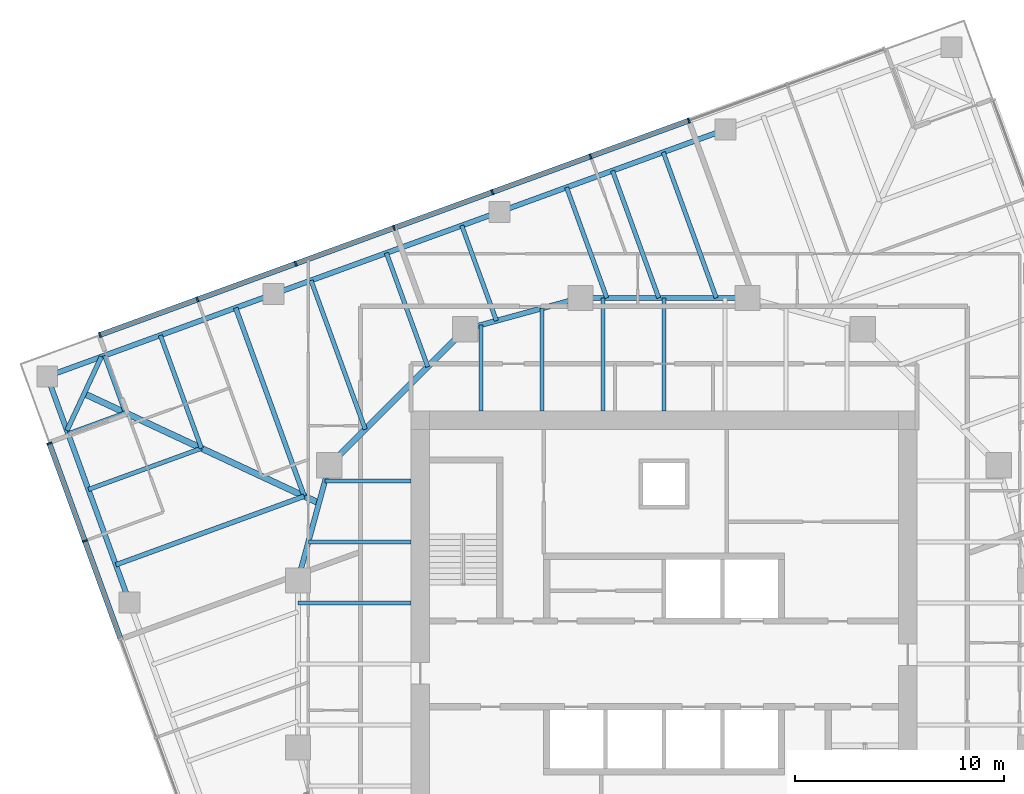
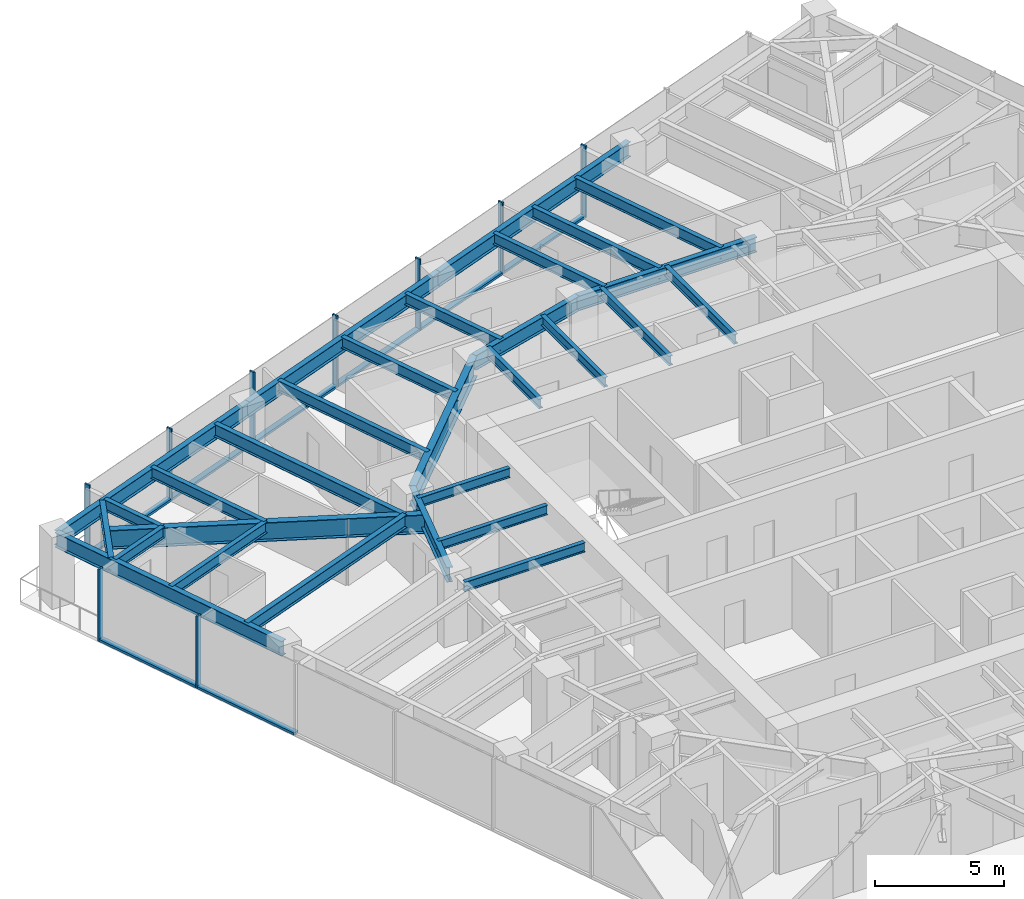
# One storey, part 4 of 13: 29 beams, 17 members, 2 elements without a shape of their own.
"""IFC4 building model written with IfcOpenShell, lengths in metres."""

from ifc_helpers import new_model, si_unit, direction, frame, origin, origin_2d, place, context, subcontext, project, spatial, rectangle, i_section, extrude, material, material_profile, profile_set, type_object, element, aggregate, save


model = new_model("IFC4")

# Units and contexts
model_context = context("Model", 3, precision=1e-05, world=origin(), true_north=direction((0.0, 1.0)))
body_context = subcontext(model_context, "Body", "Model", "MODEL_VIEW")
ifc_project = project(units=[si_unit("LENGTHUNIT", "METRE"), si_unit("AREAUNIT", "SQUARE_METRE"), si_unit("VOLUMEUNIT", "CUBIC_METRE"), si_unit("PLANEANGLEUNIT", "RADIAN"), si_unit("MASSUNIT", "GRAM", prefix="KILO")], contexts=[model_context])

# Site, building, storey
site_placement = place(None, origin())
site = spatial("IfcSite", under=ifc_project, at=site_placement, CompositionType="ELEMENT")
building_placement = place(site_placement, origin())
building = spatial("IfcBuilding", under=site, at=building_placement, Name="Torsade Residences", CompositionType="ELEMENT")
storey_placement = place(building_placement, frame((0.0, 0.0, 157.39990234375)))
storey = spatial("IfcBuildingStorey", under=building, at=storey_placement, Name="L43", CompositionType="ELEMENT", Elevation=157.39990234375)

# Beams
ifc_material_1 = material(Name="Steel grade 300", Category="steel")
ifc_material_profile_1 = material_profile(ifc_material_1, i_section(OverallWidth=0.300048828125, OverallDepth=0.89990234375, WebThickness=0.011962890625, FlangeThickness=0.02490234375, at=origin_2d()), Name="900WB175")
ifc_profile_set_1 = profile_set([ifc_material_profile_1], Name="Steel grade 300")
beam_type_1 = type_object("IfcBeamType", Name="CORNER GIRDER 900WB175", PredefinedType="BEAM", material=ifc_profile_set_1)
beam_1_placement = place(storey_placement, frame((12.282958984375, 42.924560546875, 2.800048828125), z_axis=(0.906308509373, -0.422616712682, 0.0), x_axis=(0.422616712682, 0.906308509373, 0.0)))
element("IfcBeam", 1, at=beam_1_placement, inside=storey, type_object=beam_type_1, Name="Corner girder 13 L44", PredefinedType="BEAM", context=body_context, shape_type="SweptSolid", body=[
    extrude(i_section(OverallWidth=0.300048828125, OverallDepth=0.89990234375, WebThickness=0.011962890625, FlangeThickness=0.02490234375, at=origin_2d()), origin(), (0.0, 0.0, 1.0), 12.3837890625),
])
ifc_material_2 = material(Name="Steel grade 300", Category="steel")
ifc_material_profile_2 = material_profile(ifc_material_2, i_section(OverallWidth=0.22802734375, OverallDepth=0.60205078125, WebThickness=0.010498046875, FlangeThickness=0.014892578125, FilletRadius=0.013916015625, at=origin_2d()), Name="610UB101")
ifc_profile_set_2 = profile_set([ifc_material_profile_2], Name="Steel grade 300")
beam_type_2 = type_object("IfcBeamType", Name="CORNER TRIMMER 610UB101", PredefinedType="BEAM", material=ifc_profile_set_2)
beam_2_placement = place(storey_placement, frame((11.461181640625, 41.162353515625, 2.94921875), z_axis=(0.422613947806, 0.906309798645, 0.0), x_axis=(-0.906309798645, 0.422613947806, 0.0)))
element("IfcBeam", 2, at=beam_2_placement, inside=storey, type_object=beam_type_2, Name="Corner trimmer 13 L44", PredefinedType="BEAM", context=body_context, shape_type="SweptSolid", body=[
    extrude(i_section(OverallWidth=0.22802734375, OverallDepth=0.60205078125, WebThickness=0.010498046875, FlangeThickness=0.014892578125, FilletRadius=0.013916015625, at=origin_2d()), origin(), (0.0, 0.0, 1.0), 3.888916015625),
])
ifc_material_3 = material(Name="Steel grade 300", Category="steel")
ifc_material_profile_3 = material_profile(ifc_material_3, i_section(OverallWidth=0.25, OverallDepth=0.699951171875, WebThickness=0.010009765625, FlangeThickness=0.02001953125, at=origin_2d()), Name="700WB130")
ifc_profile_set_3 = profile_set([ifc_material_profile_3], Name="Steel grade 300")
beam_type_3 = type_object("IfcBeamType", Name="EDGE BEAM 700WB130", PredefinedType="SPANDREL", material=ifc_profile_set_3)
for number, where, z_axis, x_axis, name in (
    (3, (42.93994140625, 55.546142578125, 2.900146484375), (-0.939695448801, -0.342012373318, 0.0), (0.342012373318, -0.939695448801, 0.0), "Edge beam 10 L44"),
    (4, (32.133544921875, 51.613037109375, 2.900146484375), (-0.939688625666, -0.342031119628, 0.0), (0.342031119628, -0.939688625666, 0.0), "Edge beam 11 L44"),
    (5, (21.3271484375, 47.6796875, 2.900146484375), (-0.939697932031, -0.342005550448, 0.0), (0.342005550448, -0.939697932031, 0.0), "Edge beam 12 L44"),
):
    element("IfcBeam", number, at=place(storey_placement, frame(where, z_axis=z_axis, x_axis=x_axis)), inside=storey, type_object=beam_type_3, Name=name, PredefinedType="SPANDREL", context=body_context, shape_type="SweptSolid", body=[
        extrude(i_section(OverallWidth=0.25, OverallDepth=0.699951171875, WebThickness=0.010009765625, FlangeThickness=0.02001953125, at=origin_2d()), origin(), (0.0, 0.0, 1.0), 11.5),
    ])
beam_3_placement = place(storey_placement, frame((10.5205078125, 43.74658203125, 2.900146484375), z_axis=(0.342024296483, -0.93969110915, 0.0), x_axis=(0.93969110915, 0.342024296483, 0.0)))
element("IfcBeam", 6, at=beam_3_placement, inside=storey, type_object=beam_type_3, Name="Edge beam 13 L44", PredefinedType="SPANDREL", context=body_context, shape_type="SweptSolid", body=[
    extrude(i_section(OverallWidth=0.25, OverallDepth=0.699951171875, WebThickness=0.010009765625, FlangeThickness=0.02001953125, at=origin_2d()), origin(), (0.0, 0.0, 1.0), 11.500244140625),
])
ifc_material_4 = material(Name="Steel grade 300", Category="steel")
ifc_material_profile_4 = material_profile(ifc_material_4, i_section(OverallWidth=0.18994140625, OverallDepth=0.4541015625, WebThickness=0.008544921875, FlangeThickness=0.0126953125, FilletRadius=0.011474609375, at=origin_2d()), Name="460UB67.1")
ifc_profile_set_4 = profile_set([ifc_material_profile_4], Name="Steel grade 300")
beam_type_4 = type_object("IfcBeamType", Name="INNER FLOOR BEAM 460UB67.1", PredefinedType="JOIST", material=ifc_profile_set_4)
beam_4_placement = place(storey_placement, frame((31.262451171875, 42.10009765625, 3.023193359375), z_axis=(0.0, 1.0, 0.0), x_axis=(-1.0, 0.0, 0.0)))
element("IfcBeam", 7, at=beam_4_placement, inside=storey, type_object=beam_type_4, Name="Inner floor beam IN01 L44", PredefinedType="JOIST", context=body_context, shape_type="SweptSolid", body=[
    extrude(i_section(OverallWidth=0.18994140625, OverallDepth=0.4541015625, WebThickness=0.008544921875, FlangeThickness=0.0126953125, FilletRadius=0.011474609375, at=origin_2d()), origin(), (0.0, 0.0, 1.0), 4.10791015625),
])
beam_5_placement = place(storey_placement, frame((34.175048828125, 42.10009765625, 3.023193359375), z_axis=(0.0, 1.0, 0.0), x_axis=(-1.0, 0.0, 0.0)))
element("IfcBeam", 8, at=beam_5_placement, inside=storey, type_object=beam_type_4, Name="Inner floor beam IN02 L44", PredefinedType="JOIST", context=body_context, shape_type="SweptSolid", body=[
    extrude(i_section(OverallWidth=0.18994140625, OverallDepth=0.4541015625, WebThickness=0.008544921875, FlangeThickness=0.0126953125, FilletRadius=0.011474609375, at=origin_2d()), origin(), (0.0, 0.0, 1.0), 4.902099609375),
])
for number, where, z_axis, x_axis, name in (
    (9, (37.08740234375, 42.10009765625, 3.023193359375), (0.0, 1.0, 0.0), (-1.0, 0.0, 0.0), "Inner floor beam IN03 L44"),
    (10, (40.0, 42.10009765625, 3.023193359375), (0.0, 1.0, 0.0), (-1.0, 0.0, 0.0), "Inner floor beam IN04 L44"),
):
    element("IfcBeam", number, at=place(storey_placement, frame(where, z_axis=z_axis, x_axis=x_axis)), inside=storey, type_object=beam_type_4, Name=name, PredefinedType="JOIST", context=body_context, shape_type="SweptSolid", body=[
        extrude(i_section(OverallWidth=0.18994140625, OverallDepth=0.4541015625, WebThickness=0.008544921875, FlangeThickness=0.0126953125, FilletRadius=0.011474609375, at=origin_2d()), origin(), (0.0, 0.0, 1.0), 5.39990234375),
    ])
beam_6_placement = place(storey_placement, frame((27.89990234375, 38.737548828125, 3.023193359375), z_axis=(-1.0, 0.0, 0.0), x_axis=(0.0, -1.0, 0.0)))
element("IfcBeam", 11, at=beam_6_placement, inside=storey, type_object=beam_type_4, Name="Inner floor beam IW01 L44", PredefinedType="JOIST", context=body_context, shape_type="SweptSolid", body=[
    extrude(i_section(OverallWidth=0.18994140625, OverallDepth=0.4541015625, WebThickness=0.008544921875, FlangeThickness=0.0126953125, FilletRadius=0.011474609375, at=origin_2d()), origin(), (0.0, 0.0, 1.0), 4.10791015625),
])
beam_7_placement = place(storey_placement, frame((27.89990234375, 35.824951171875, 3.023193359375), z_axis=(-1.0, 0.0, 0.0), x_axis=(0.0, -1.0, 0.0)))
element("IfcBeam", 12, at=beam_7_placement, inside=storey, type_object=beam_type_4, Name="Inner floor beam IW02 L44", PredefinedType="JOIST", context=body_context, shape_type="SweptSolid", body=[
    extrude(i_section(OverallWidth=0.18994140625, OverallDepth=0.4541015625, WebThickness=0.008544921875, FlangeThickness=0.0126953125, FilletRadius=0.011474609375, at=origin_2d()), origin(), (0.0, 0.0, 1.0), 4.902099609375),
])
beam_8_placement = place(storey_placement, frame((27.89990234375, 32.91259765625, 3.023193359375), z_axis=(-1.0, 0.0, 0.0), x_axis=(0.0, -1.0, 0.0)))
element("IfcBeam", 13, at=beam_8_placement, inside=storey, type_object=beam_type_4, Name="Inner floor beam IW03 L44", PredefinedType="JOIST", context=body_context, shape_type="SweptSolid", body=[
    extrude(i_section(OverallWidth=0.18994140625, OverallDepth=0.4541015625, WebThickness=0.008544921875, FlangeThickness=0.0126953125, FilletRadius=0.011474609375, at=origin_2d()), origin(), (0.0, 0.0, 1.0), 5.39990234375),
])

# Curtain wall, members
ifc_material_5 = material(Name="Aluminium and glass", Category="aluminium")
curtain_wall_type = type_object("IfcCurtainWallType", Name="FRITTED GLASS CURTAIN WALL MID ZONE", PredefinedType="NOTDEFINED", material=ifc_material_5)
curtain_wall_1_placement = place(storey_placement, origin())
curtain_wall_1 = element("IfcCurtainWall", 14, at=curtain_wall_1_placement, inside=storey, type_object=curtain_wall_type, Name="Curtain wall L43 face 7", PredefinedType="NOTDEFINED")
ifc_material_6 = material(Name="Aluminium mullion", Category="aluminium")
ifc_material_profile_5 = material_profile(ifc_material_6, rectangle(XDim=0.25, YDim=0.080078125, at=origin_2d()), Name="MID ZONE CURTAIN WALL MULLION 250x80")
ifc_profile_set_5 = profile_set([ifc_material_profile_5], Name="Aluminium mullion")
member_type_1 = type_object("IfcMemberType", Name="MID ZONE CURTAIN WALL MULLION 250x80", PredefinedType="MULLION", material=ifc_profile_set_5)
member_1_placement = place(storey_placement, frame((41.1884765625, 55.972900390625, 0.0), z_axis=(0.0, 0.0, 1.0), x_axis=(0.342020147869, -0.939692619132, 0.0)))
member_1 = element("IfcMember", 15, at=member_1_placement, type_object=member_type_1, Name="Mullion 3", PredefinedType="MULLION", context=body_context, shape_type="SweptSolid", body=[
    extrude(rectangle(XDim=0.25, YDim=0.080078125, at=origin_2d()), origin(), (0.0, 0.0, 1.0), 3.400146484375),
])
member_2_placement = place(storey_placement, frame((36.489990234375, 54.2626953125, 0.0), z_axis=(0.0, 0.0, 1.0), x_axis=(0.342020147869, -0.939692619132, 0.0)))
member_2 = element("IfcMember", 16, at=member_2_placement, type_object=member_type_1, Name="Mullion 4", PredefinedType="MULLION", context=body_context, shape_type="SweptSolid", body=[
    extrude(rectangle(XDim=0.25, YDim=0.080078125, at=origin_2d()), origin(), (0.0, 0.0, 1.0), 3.400146484375),
])
member_3_placement = place(storey_placement, frame((31.79150390625, 52.552734375, 0.0), z_axis=(0.0, 0.0, 1.0), x_axis=(0.342020147869, -0.939692619132, 0.0)))
member_3 = element("IfcMember", 17, at=member_3_placement, type_object=member_type_1, Name="Mullion 5", PredefinedType="MULLION", context=body_context, shape_type="SweptSolid", body=[
    extrude(rectangle(XDim=0.25, YDim=0.080078125, at=origin_2d()), origin(), (0.0, 0.0, 1.0), 3.400146484375),
])
member_4_placement = place(storey_placement, frame((27.093017578125, 50.842529296875, 0.0), z_axis=(0.0, 0.0, 1.0), x_axis=(0.342020147869, -0.939692619132, 0.0)))
member_4 = element("IfcMember", 18, at=member_4_placement, type_object=member_type_1, Name="Mullion 6", PredefinedType="MULLION", context=body_context, shape_type="SweptSolid", body=[
    extrude(rectangle(XDim=0.25, YDim=0.080078125, at=origin_2d()), origin(), (0.0, 0.0, 1.0), 3.400146484375),
])
member_5_placement = place(storey_placement, frame((22.39453125, 49.13232421875, 0.0), z_axis=(0.0, 0.0, 1.0), x_axis=(0.342020147869, -0.939692619132, 0.0)))
member_5 = element("IfcMember", 19, at=member_5_placement, type_object=member_type_1, Name="Mullion 7", PredefinedType="MULLION", context=body_context, shape_type="SweptSolid", body=[
    extrude(rectangle(XDim=0.25, YDim=0.080078125, at=origin_2d()), origin(), (0.0, 0.0, 1.0), 3.400146484375),
])
member_6_placement = place(storey_placement, frame((17.696044921875, 47.42236328125, 0.0), z_axis=(0.0, 0.0, 1.0), x_axis=(0.342020147869, -0.939692619132, 0.0)))
member_6 = element("IfcMember", 20, at=member_6_placement, type_object=member_type_1, Name="Mullion 8", PredefinedType="MULLION", context=body_context, shape_type="SweptSolid", body=[
    extrude(rectangle(XDim=0.25, YDim=0.080078125, at=origin_2d()), origin(), (0.0, 0.0, 1.0), 3.400146484375),
])
member_7_placement = place(storey_placement, frame((13.03515625, 45.725830078125, 0.0), z_axis=(0.0, 0.0, 1.0), x_axis=(0.342020147869, -0.939692619132, 0.0)))
member_7 = element("IfcMember", 21, at=member_7_placement, type_object=member_type_1, Name="Mullion 9", PredefinedType="MULLION", context=body_context, shape_type="SweptSolid", body=[
    extrude(rectangle(XDim=0.25, YDim=0.080078125, at=origin_2d()), origin(), (0.0, 0.0, 1.0), 3.400146484375),
])

curtain_wall_2_placement = place(storey_placement, origin())
curtain_wall_2 = element("IfcCurtainWall", 22, at=curtain_wall_2_placement, inside=storey, type_object=curtain_wall_type, Name="Curtain wall L43 face 10", PredefinedType="NOTDEFINED")
member_8_placement = place(storey_placement, frame((10.62060546875, 40.5478515625, 0.0), z_axis=(0.0, 0.0, 1.0), x_axis=(0.939692619132, 0.342020147869, 0.0)))
member_8 = element("IfcMember", 23, at=member_8_placement, type_object=member_type_1, Name="Mullion 1", PredefinedType="MULLION", context=body_context, shape_type="SweptSolid", body=[
    extrude(rectangle(XDim=0.25, YDim=0.080078125, at=origin_2d()), origin(), (0.0, 0.0, 1.0), 3.400146484375),
])
member_9_placement = place(storey_placement, frame((12.317138671875, 35.886962890625, 0.0), z_axis=(0.0, 0.0, 1.0), x_axis=(0.939692619132, 0.342020147869, 0.0)))
member_9 = element("IfcMember", 24, at=member_9_placement, type_object=member_type_1, Name="Mullion 2", PredefinedType="MULLION", context=body_context, shape_type="SweptSolid", body=[
    extrude(rectangle(XDim=0.25, YDim=0.080078125, at=origin_2d()), origin(), (0.0, 0.0, 1.0), 3.400146484375),
])

# Member
ifc_material_7 = material(Name="Aluminium transom", Category="aluminium")
ifc_material_profile_6 = material_profile(ifc_material_7, rectangle(XDim=0.25, YDim=0.110107421875, at=origin_2d()), Name="MID ZONE CURTAIN WALL TRANSOM 250x110")
ifc_profile_set_6 = profile_set([ifc_material_profile_6], Name="Aluminium transom")
member_type_2 = type_object("IfcMemberType", Name="MID ZONE CURTAIN WALL TRANSOM 250x110", PredefinedType="USERDEFINED", material=ifc_profile_set_6)
member_10_placement = place(storey_placement, frame((41.15087890625, 55.959228515625, 0.05517578125), z_axis=(-0.93968471549, -0.342041862168, 0.0), x_axis=(0.342041862168, -0.93968471549, 0.0)))
member_10 = element("IfcMember", 25, at=member_10_placement, type_object=member_type_2, Name="Transom 3.1", ObjectType="TRANSOM", PredefinedType="USERDEFINED", context=body_context, shape_type="SweptSolid", body=[
    extrude(rectangle(XDim=0.25, YDim=0.110107421875, at=origin_2d()), origin(), (0.0, 0.0, 1.0), 4.920166015625),
])

member_11_placement = place(storey_placement, frame((36.452392578125, 54.2490234375, 0.05517578125), z_axis=(-0.9397006637, -0.341998044792, 0.0), x_axis=(0.341998044792, -0.9397006637, 0.0)))
member_11 = element("IfcMember", 26, at=member_11_placement, type_object=member_type_2, Name="Transom 4.1", ObjectType="TRANSOM", PredefinedType="USERDEFINED", context=body_context, shape_type="SweptSolid", body=[
    extrude(rectangle(XDim=0.25, YDim=0.110107421875, at=origin_2d()), origin(), (0.0, 0.0, 1.0), 4.919921875),
])

member_12_placement = place(storey_placement, frame((31.75390625, 52.5390625, 0.05517578125), z_axis=(-0.93968471549, -0.342041862168, 0.0), x_axis=(0.342041862168, -0.93968471549, 0.0)))
member_12 = element("IfcMember", 27, at=member_12_placement, type_object=member_type_2, Name="Transom 5.1", ObjectType="TRANSOM", PredefinedType="USERDEFINED", context=body_context, shape_type="SweptSolid", body=[
    extrude(rectangle(XDim=0.25, YDim=0.110107421875, at=origin_2d()), origin(), (0.0, 0.0, 1.0), 4.920166015625),
])

member_13_placement = place(storey_placement, frame((27.055419921875, 50.828857421875, 0.05517578125), z_axis=(-0.93968471549, -0.342041862168, 0.0), x_axis=(0.342041862168, -0.93968471549, 0.0)))
member_13 = element("IfcMember", 28, at=member_13_placement, type_object=member_type_2, Name="Transom 6.1", ObjectType="TRANSOM", PredefinedType="USERDEFINED", context=body_context, shape_type="SweptSolid", body=[
    extrude(rectangle(XDim=0.25, YDim=0.110107421875, at=origin_2d()), origin(), (0.0, 0.0, 1.0), 4.920166015625),
])

member_14_placement = place(storey_placement, frame((22.35693359375, 49.11865234375, 0.05517578125), z_axis=(-0.9397006637, -0.341998044792, 0.0), x_axis=(0.341998044792, -0.9397006637, 0.0)))
member_14 = element("IfcMember", 29, at=member_14_placement, type_object=member_type_2, Name="Transom 7.1", ObjectType="TRANSOM", PredefinedType="USERDEFINED", context=body_context, shape_type="SweptSolid", body=[
    extrude(rectangle(XDim=0.25, YDim=0.110107421875, at=origin_2d()), origin(), (0.0, 0.0, 1.0), 4.919921875),
])

member_15_placement = place(storey_placement, frame((17.658447265625, 47.40869140625, 0.05517578125), z_axis=(-0.939683823915, -0.342044311564, 0.0), x_axis=(0.342044311564, -0.939683823915, 0.0)))
member_15 = element("IfcMember", 30, at=member_15_placement, type_object=member_type_2, Name="Transom 8.1", ObjectType="TRANSOM", PredefinedType="USERDEFINED", context=body_context, shape_type="SweptSolid", body=[
    extrude(rectangle(XDim=0.25, YDim=0.110107421875, at=origin_2d()), origin(), (0.0, 0.0, 1.0), 4.880126953125),
])

aggregate(curtain_wall_1, [member_1, member_2, member_3, member_4, member_5, member_6, member_7, member_10, member_11, member_12, member_13, member_14, member_15])

member_16_placement = place(storey_placement, frame((10.63427734375, 40.51025390625, 0.05517578125), z_axis=(0.342044311564, -0.939683823915, 0.0), x_axis=(0.939683823915, 0.342044311564, 0.0)))
member_16 = element("IfcMember", 31, at=member_16_placement, type_object=member_type_2, Name="Transom 1.1", ObjectType="TRANSOM", PredefinedType="USERDEFINED", context=body_context, shape_type="SweptSolid", body=[
    extrude(rectangle(XDim=0.25, YDim=0.110107421875, at=origin_2d()), origin(), (0.0, 0.0, 1.0), 4.880126953125),
])

member_17_placement = place(storey_placement, frame((12.330810546875, 35.849365234375, 0.05517578125), z_axis=(0.341998044792, -0.9397006637, 0.0), x_axis=(0.9397006637, 0.341998044792, 0.0)))
member_17 = element("IfcMember", 32, at=member_17_placement, type_object=member_type_2, Name="Transom 2.1", ObjectType="TRANSOM", PredefinedType="USERDEFINED", context=body_context, shape_type="SweptSolid", body=[
    extrude(rectangle(XDim=0.25, YDim=0.110107421875, at=origin_2d()), origin(), (0.0, 0.0, 1.0), 4.919921875),
])

aggregate(curtain_wall_2, [member_8, member_9, member_16, member_17])

# Beams
ifc_material_8 = material(Name="Steel grade 300", Category="steel")
ifc_material_profile_7 = material_profile(ifc_material_8, i_section(OverallWidth=0.300048828125, OverallDepth=1.0, WebThickness=0.01611328125, FlangeThickness=0.028076171875, at=origin_2d()), Name="1000WB215")
ifc_profile_set_7 = profile_set([ifc_material_profile_7], Name="Steel grade 300")
beam_type_5 = type_object("IfcBeamType", Name="RING CORNER GIRDER 1000WB215", PredefinedType="BEAM", material=ifc_profile_set_7)
beam_9_placement = place(storey_placement, frame((30.5, 46.0, 2.75), z_axis=(-0.707106781187, -0.707106781187, 0.0), x_axis=(0.707106781187, -0.707106781187, 0.0)))
element("IfcBeam", 33, at=beam_9_placement, inside=storey, type_object=beam_type_5, Name="Ring girder IR07 L44", PredefinedType="BEAM", context=body_context, shape_type="SweptSolid", body=[
    extrude(i_section(OverallWidth=0.300048828125, OverallDepth=1.0, WebThickness=0.01611328125, FlangeThickness=0.028076171875, at=origin_2d()), origin(), (0.0, 0.0, 1.0), 9.1923828125),
])
ifc_material_9 = material(Name="Steel grade 300", Category="steel")
ifc_material_profile_8 = material_profile(ifc_material_9, i_section(OverallWidth=0.25, OverallDepth=0.699951171875, WebThickness=0.010009765625, FlangeThickness=0.02001953125, at=origin_2d()), Name="700WB130")
ifc_profile_set_8 = profile_set([ifc_material_profile_8], Name="Steel grade 300")
beam_type_6 = type_object("IfcBeamType", Name="RING GIRDER 700WB130", PredefinedType="BEAM", material=ifc_profile_set_8)
beam_10_placement = place(storey_placement, frame((44.0, 47.5, 2.900146484375), z_axis=(-1.0, 0.0, 0.0), x_axis=(0.0, -1.0, 0.0)))
element("IfcBeam", 34, at=beam_10_placement, inside=storey, type_object=beam_type_6, Name="Ring girder IR05 L44", PredefinedType="BEAM", context=body_context, shape_type="SweptSolid", body=[
    extrude(i_section(OverallWidth=0.25, OverallDepth=0.699951171875, WebThickness=0.010009765625, FlangeThickness=0.02001953125, at=origin_2d()), origin(), (0.0, 0.0, 1.0), 8.0),
])
for number, where, z_axis, x_axis, name in (
    (35, (36.0, 47.5, 2.900146484375), (-0.964763821238, -0.263117405792, 0.0), (0.263117405792, -0.964763821238, 0.0), "Ring girder IR06 L44"),
    (36, (24.0, 39.5, 2.900146484375), (-0.263117405792, -0.964763821238, 0.0), (0.964763821238, -0.263117405792, 0.0), "Ring girder IR08 L44"),
):
    element("IfcBeam", number, at=place(storey_placement, frame(where, z_axis=z_axis, x_axis=x_axis)), inside=storey, type_object=beam_type_6, Name=name, PredefinedType="BEAM", context=body_context, shape_type="SweptSolid", body=[
        extrude(i_section(OverallWidth=0.25, OverallDepth=0.699951171875, WebThickness=0.010009765625, FlangeThickness=0.02001953125, at=origin_2d()), origin(), (0.0, 0.0, 1.0), 5.700927734375),
    ])
ifc_material_10 = material(Name="Steel grade 300", Category="steel")
ifc_material_profile_9 = material_profile(ifc_material_10, i_section(OverallWidth=0.208984375, OverallDepth=0.528076171875, WebThickness=0.009521484375, FlangeThickness=0.01318359375, FilletRadius=0.013916015625, at=origin_2d()), Name="530UB82.0")
ifc_profile_set_9 = profile_set([ifc_material_profile_9], Name="Steel grade 300")
beam_type_7 = type_object("IfcBeamType", Name="SECONDARY BEAM 530UB82.0", PredefinedType="JOIST", material=ifc_profile_set_9)
beam_11_placement = place(storey_placement, frame((39.96435546875, 54.463134765625, 2.986083984375), z_axis=(0.342026105929, -0.939690450554, 0.0), x_axis=(0.939690450554, 0.342026105929, 0.0)))
element("IfcBeam", 37, at=beam_11_placement, inside=storey, type_object=beam_type_7, Name="Floor beam FN04 L44", PredefinedType="JOIST", context=body_context, shape_type="SweptSolid", body=[
    extrude(i_section(OverallWidth=0.208984375, OverallDepth=0.528076171875, WebThickness=0.009521484375, FlangeThickness=0.01318359375, FilletRadius=0.013916015625, at=origin_2d()), origin(), (0.0, 0.0, 1.0), 7.409912109375),
])
beam_12_placement = place(storey_placement, frame((37.536865234375, 53.57958984375, 2.986083984375), z_axis=(0.342000590983, -0.939699737026, 0.0), x_axis=(0.939699737026, 0.342000590983, 0.0)))
element("IfcBeam", 38, at=beam_12_placement, inside=storey, type_object=beam_type_7, Name="Floor beam FN05 L44", PredefinedType="JOIST", context=body_context, shape_type="SweptSolid", body=[
    extrude(i_section(OverallWidth=0.208984375, OverallDepth=0.528076171875, WebThickness=0.009521484375, FlangeThickness=0.01318359375, FilletRadius=0.013916015625, at=origin_2d()), origin(), (0.0, 0.0, 1.0), 6.4697265625),
])
beam_13_placement = place(storey_placement, frame((35.34423828125, 52.781494140625, 2.986083984375), z_axis=(0.341990681925, -0.939703343336, 0.0), x_axis=(0.939703343336, 0.341990681925, 0.0)))
element("IfcBeam", 39, at=beam_13_placement, inside=storey, type_object=beam_type_7, Name="Floor beam FN06 L44", PredefinedType="JOIST", context=body_context, shape_type="SweptSolid", body=[
    extrude(i_section(OverallWidth=0.208984375, OverallDepth=0.528076171875, WebThickness=0.009521484375, FlangeThickness=0.01318359375, FilletRadius=0.013916015625, at=origin_2d()), origin(), (0.0, 0.0, 1.0), 5.620361328125),
])
beam_14_placement = place(storey_placement, frame((30.33251953125, 50.957275390625, 2.986083984375), z_axis=(0.342014218604, -0.939694777187, 0.0), x_axis=(0.939694777187, 0.342014218604, 0.0)))
element("IfcBeam", 40, at=beam_14_placement, inside=storey, type_object=beam_type_7, Name="Floor beam FN07 L44", PredefinedType="JOIST", context=body_context, shape_type="SweptSolid", body=[
    extrude(i_section(OverallWidth=0.208984375, OverallDepth=0.528076171875, WebThickness=0.009521484375, FlangeThickness=0.01318359375, FilletRadius=0.013916015625, at=origin_2d()), origin(), (0.0, 0.0, 1.0), 4.84326171875),
])
beam_15_placement = place(storey_placement, frame((26.730224609375, 49.646240234375, 2.986083984375), z_axis=(0.342034409239, -0.939687428295, 0.0), x_axis=(0.939687428295, 0.342034409239, 0.0)))
element("IfcBeam", 41, at=beam_15_placement, inside=storey, type_object=beam_type_7, Name="Floor beam FN08 L44", PredefinedType="JOIST", context=body_context, shape_type="SweptSolid", body=[
    extrude(i_section(OverallWidth=0.208984375, OverallDepth=0.528076171875, WebThickness=0.009521484375, FlangeThickness=0.01318359375, FilletRadius=0.013916015625, at=origin_2d()), origin(), (0.0, 0.0, 1.0), 5.785888671875),
])
beam_16_placement = place(storey_placement, frame((23.128173828125, 48.335205078125, 2.986083984375), z_axis=(0.342027762686, -0.939689847531, 0.0), x_axis=(0.939689847531, 0.342027762686, 0.0)))
element("IfcBeam", 42, at=beam_16_placement, inside=storey, type_object=beam_type_7, Name="Floor beam FN09 L44", PredefinedType="JOIST", context=body_context, shape_type="SweptSolid", body=[
    extrude(i_section(OverallWidth=0.208984375, OverallDepth=0.528076171875, WebThickness=0.009521484375, FlangeThickness=0.01318359375, FilletRadius=0.013916015625, at=origin_2d()), origin(), (0.0, 0.0, 1.0), 7.573486328125),
])
beam_17_placement = place(storey_placement, frame((15.923828125, 45.713134765625, 2.986083984375), z_axis=(0.342005550448, -0.939697932031, 0.0), x_axis=(0.939697932031, 0.342005550448, 0.0)))
element("IfcBeam", 43, at=beam_17_placement, inside=storey, type_object=beam_type_7, Name="Floor beam FN11 L44", PredefinedType="JOIST", context=body_context, shape_type="SweptSolid", body=[
    extrude(i_section(OverallWidth=0.208984375, OverallDepth=0.528076171875, WebThickness=0.009521484375, FlangeThickness=0.01318359375, FilletRadius=0.013916015625, at=origin_2d()), origin(), (0.0, 0.0, 1.0), 5.75),
])
for number, where, z_axis, x_axis, name in (
    (44, (13.261474609375, 44.744140625, 2.986083984375), (0.341998427281, -0.939700524495, 0.0), (0.939700524495, 0.341998427281, 0.0), "Floor beam FN12 L44"),
    (45, (11.51806640625, 41.005615234375, 2.986083984375), (0.939700524495, 0.341998427281, 0.0), (-0.341998427281, 0.939700524495, 0.0), "Floor beam FW01 L44"),
):
    element("IfcBeam", number, at=place(storey_placement, frame(where, z_axis=z_axis, x_axis=x_axis)), inside=storey, type_object=beam_type_7, Name=name, PredefinedType="JOIST", context=body_context, shape_type="SweptSolid", body=[
        extrude(i_section(OverallWidth=0.208984375, OverallDepth=0.528076171875, WebThickness=0.009521484375, FlangeThickness=0.01318359375, FilletRadius=0.013916015625, at=origin_2d()), origin(), (0.0, 0.0, 1.0), 2.916748046875),
    ])
beam_18_placement = place(storey_placement, frame((12.4873046875, 38.34326171875, 2.986083984375), z_axis=(0.939692965423, 0.342019196443, 0.0), x_axis=(-0.342019196443, 0.939692965423, 0.0)))
element("IfcBeam", 46, at=beam_18_placement, inside=storey, type_object=beam_type_7, Name="Floor beam FW02 L44", PredefinedType="JOIST", context=body_context, shape_type="SweptSolid", body=[
    extrude(i_section(OverallWidth=0.208984375, OverallDepth=0.528076171875, WebThickness=0.009521484375, FlangeThickness=0.01318359375, FilletRadius=0.013916015625, at=origin_2d()), origin(), (0.0, 0.0, 1.0), 5.749755859375),
])
ifc_material_11 = material(Name="Steel grade 300", Category="steel")
ifc_material_profile_10 = material_profile(ifc_material_11, i_section(OverallWidth=0.22900390625, OverallDepth=0.612060546875, WebThickness=0.011962890625, FlangeThickness=0.01953125, FilletRadius=0.013916015625, at=origin_2d()), Name="610UB125")
ifc_profile_set_10 = profile_set([ifc_material_profile_10], Name="Steel grade 300")
beam_type_8 = type_object("IfcBeamType", Name="SECONDARY BEAM 610UB125", PredefinedType="JOIST", material=ifc_profile_set_10)
for number, where, z_axis, x_axis, name in (
    (47, (19.52587890625, 47.024169921875, 2.944091796875), (0.342033504181, -0.939687757725, 0.0), (0.939687757725, 0.342033504181, 0.0), "Floor beam FN10 L44"),
    (48, (13.79833984375, 34.740966796875, 2.944091796875), (0.939687757725, 0.342033504181, 0.0), (-0.342033504181, 0.939687757725, 0.0), "Floor beam FW03 L44"),
):
    element("IfcBeam", number, at=place(storey_placement, frame(where, z_axis=z_axis, x_axis=x_axis)), inside=storey, type_object=beam_type_8, Name=name, PredefinedType="JOIST", context=body_context, shape_type="SweptSolid", body=[
        extrude(i_section(OverallWidth=0.22900390625, OverallDepth=0.612060546875, WebThickness=0.011962890625, FlangeThickness=0.01953125, FilletRadius=0.013916015625, at=origin_2d()), origin(), (0.0, 0.0, 1.0), 9.583251953125),
    ])

save(model, "model.ifc")
